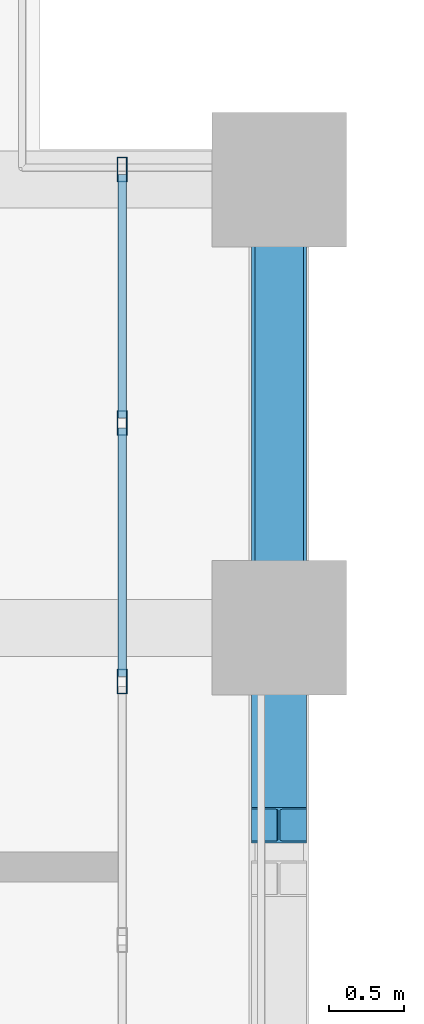
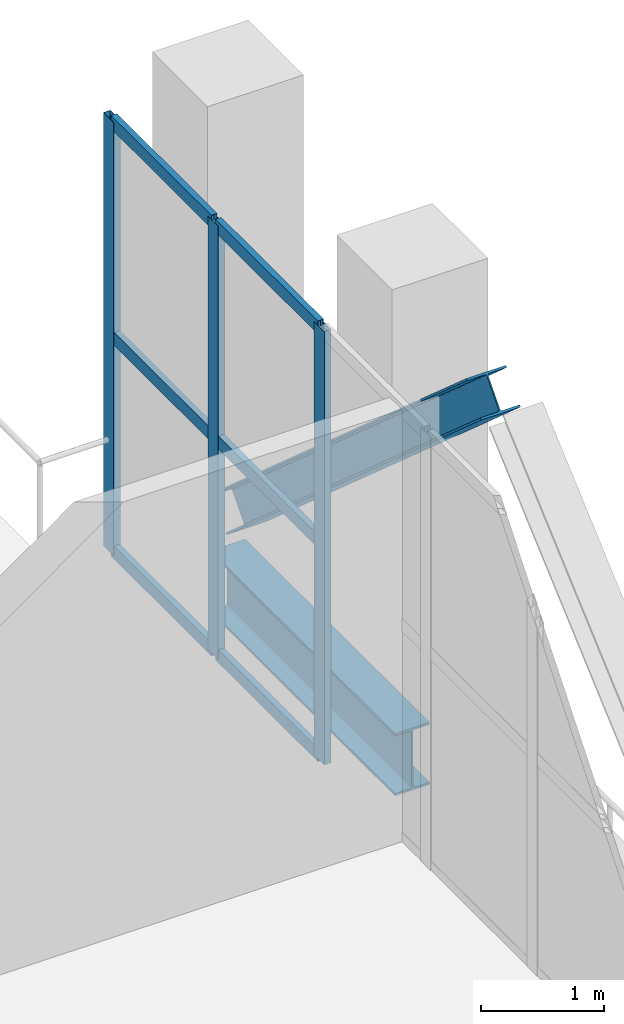
# One storey, part 20 of 26: 10 members, 1 beam, 1 element without a shape of its own.
"""IFC4 building model written with IfcOpenShell, lengths in metres."""

from ifc_helpers import new_model, si_unit, direction, frame, origin, origin_2d, place, context, subcontext, project, spatial, hollow_rectangle, i_section, extrude, material, layer, layer_set, material_profile, profile_set, type_object, element, aggregate, save


model = new_model("IFC4")

# Units and contexts
model_context = context("Model", 3, precision=1e-05, world=origin(), true_north=direction((0.0, 1.0)))
body_context = subcontext(model_context, "Body", "Model", "MODEL_VIEW")
ifc_project = project(units=[si_unit("LENGTHUNIT", "METRE"), si_unit("AREAUNIT", "SQUARE_METRE"), si_unit("VOLUMEUNIT", "CUBIC_METRE"), si_unit("PLANEANGLEUNIT", "RADIAN"), si_unit("MASSUNIT", "GRAM", prefix="KILO")], contexts=[model_context])

# Site, building, storey
site_placement = place(None, origin())
site = spatial("IfcSite", under=ifc_project, at=site_placement, CompositionType="ELEMENT")
building_placement = place(site_placement, origin())
building = spatial("IfcBuilding", under=site, at=building_placement, Name="Mawjdan Bourse Tower", CompositionType="ELEMENT")
storey_placement = place(building_placement, frame((0.0, 0.0, 226.800048828125)))
storey = spatial("IfcBuildingStorey", under=building, at=storey_placement, Name="L55", CompositionType="ELEMENT", Elevation=226.800048828125)

# Member
ifc_material_1 = material(Name="Structural Steel S460", Category="steel")
ifc_material_profile_1 = material_profile(ifc_material_1, i_section(OverallWidth=0.3701171875, OverallDepth=0.360107421875, WebThickness=0.01220703125, FlangeThickness=0.019775390625, FilletRadius=0.015869140625, at=origin_2d()), Name="W14X99")
ifc_profile_set_1 = profile_set([ifc_material_profile_1], Name="Structural Steel S460")
member_type_1 = type_object("IfcMemberType", Name="BRC-W14X99", PredefinedType="BRACE", material=ifc_profile_set_1)
member_1_placement = place(storey_placement, frame((24.0, 34.679931640625, 3.849853515625), z_axis=(0.0, 0.750121779504, -0.661299717159), x_axis=(-1.0, 0.0, 0.0)))
element("IfcMember", 1, at=member_1_placement, inside=storey, type_object=member_type_1, Name="L55 North Wing Perimeter Belt Truss Diagonal 4", PredefinedType="BRACE", context=body_context, shape_type="SweptSolid", body=[
    extrude(i_section(OverallWidth=0.3701171875, OverallDepth=0.360107421875, WebThickness=0.01220703125, FlangeThickness=0.019775390625, FilletRadius=0.015869140625, at=origin_2d()), origin(), (0.0, 0.0, 1.0), 5.519287109375),
])

# Curtain wall, members
ifc_material_2 = material(Name="Thermally Broken Aluminium and Solar Glass", Category="aluminium")
ifc_layer = layer(ifc_material_2, 0.219970703125)
ifc_layer_set = layer_set([ifc_layer], Name="Thermally Broken Aluminium and Solar Glass")
curtain_wall_type = type_object("IfcCurtainWallType", Name="CW-RFG", PredefinedType="USERDEFINED", material=ifc_layer_set)
curtain_wall_placement = place(storey_placement, origin())
curtain_wall = element("IfcCurtainWall", 2, at=curtain_wall_placement, inside=storey, type_object=curtain_wall_type, Name="L55 Refuge Band North-Wing Louvre Curtain Wall", ObjectType="REFUGE BAND LOUVRE SCREEN", PredefinedType="USERDEFINED")
ifc_material_3 = material(Name="Thermally Broken Anodised Aluminium", Category="aluminium")
ifc_material_profile_2 = material_profile(ifc_material_3, hollow_rectangle(XDim=0.06494140625, YDim=0.1650390625, WallThickness=0.00390625, at=origin_2d()), Name="ALU-MUL-165X65")
ifc_profile_set_2 = profile_set([ifc_material_profile_2], Name="Thermally Broken Anodised Aluminium")
member_type_2 = type_object("IfcMemberType", Name="MUL-ALU-MUL-165X65", PredefinedType="MULLION", material=ifc_profile_set_2)
member_2_placement = place(storey_placement, frame((22.949951171875, 35.639892578125, 0.0), z_axis=(0.0, 0.0, 1.0), x_axis=(-1.0, 0.0, 0.0)))
member_2 = element("IfcMember", 3, at=member_2_placement, type_object=member_type_2, Name="CW-RFG-L55-RFG-W mullion 9", PredefinedType="MULLION", context=body_context, shape_type="SweptSolid", body=[
    extrude(hollow_rectangle(XDim=0.06494140625, YDim=0.1650390625, WallThickness=0.00390625, at=origin_2d()), origin(), (0.0, 0.0, 1.0), 4.300048828125),
])
member_3_placement = place(storey_placement, frame((22.949951171875, 37.3701171875, 0.0), z_axis=(0.0, 0.0, 1.0), x_axis=(-1.0, 0.0, 0.0)))
member_3 = element("IfcMember", 4, at=member_3_placement, type_object=member_type_2, Name="CW-RFG-L55-RFG-W mullion 10", PredefinedType="MULLION", context=body_context, shape_type="SweptSolid", body=[
    extrude(hollow_rectangle(XDim=0.06494140625, YDim=0.1650390625, WallThickness=0.00390625, at=origin_2d()), origin(), (0.0, 0.0, 1.0), 4.300048828125),
])
member_4_placement = place(storey_placement, frame((22.949951171875, 39.0673828125, 0.0), z_axis=(0.0, 0.0, 1.0), x_axis=(-1.0, 0.0, 0.0)))
member_4 = element("IfcMember", 5, at=member_4_placement, type_object=member_type_2, Name="CW-RFG-L55-RFG-W mullion 11", PredefinedType="MULLION", context=body_context, shape_type="SweptSolid", body=[
    extrude(hollow_rectangle(XDim=0.06494140625, YDim=0.1650390625, WallThickness=0.00390625, at=origin_2d()), origin(), (0.0, 0.0, 1.0), 4.300048828125),
])

# Beam
ifc_material_4 = material(Name="Structural Steel S355", Category="steel")
ifc_material_profile_3 = material_profile(ifc_material_4, i_section(OverallWidth=0.324951171875, OverallDepth=0.616943359375, WebThickness=0.013916015625, FlangeThickness=0.021484375, FilletRadius=0.017333984375, at=origin_2d()), Name="W24X117")
ifc_profile_set_3 = profile_set([ifc_material_profile_3], Name="Structural Steel S355")
beam_type = type_object("IfcBeamType", Name="SPN-W24X117", PredefinedType="SPANDREL", material=ifc_profile_set_3)
beam_placement = place(storey_placement, frame((24.0, 36.0, -0.588623046875), z_axis=(0.0, 1.0, 0.0), x_axis=(-1.0, 0.0, 0.0)))
element("IfcBeam", 6, at=beam_placement, inside=storey, type_object=beam_type, Name="L55 North Wing Spandrel 058", PredefinedType="SPANDREL", context=body_context, shape_type="SweptSolid", body=[
    extrude(i_section(OverallWidth=0.324951171875, OverallDepth=0.616943359375, WebThickness=0.013916015625, FlangeThickness=0.021484375, FilletRadius=0.017333984375, at=origin_2d()), origin(), (0.0, 0.0, 1.0), 3.0),
])

# Member
ifc_material_profile_4 = material_profile(ifc_material_3, hollow_rectangle(XDim=0.054931640625, YDim=0.1298828125, WallThickness=0.00341796875, at=origin_2d()), Name="ALU-TRN-130X55")
ifc_profile_set_4 = profile_set([ifc_material_profile_4], Name="Thermally Broken Anodised Aluminium")
member_type_3 = type_object("IfcMemberType", Name="TRN-ALU-TRN-130X55", PredefinedType="USERDEFINED", material=ifc_profile_set_4)
member_5_placement = place(storey_placement, frame((22.949951171875, 35.672607421875, 0.02734375), z_axis=(0.0, 1.0, 0.0), x_axis=(-1.0, 0.0, 0.0)))
member_5 = element("IfcMember", 7, at=member_5_placement, type_object=member_type_3, Name="CW-RFG-L55-RFG-W transom 9.1", ObjectType="TRANSOM", PredefinedType="USERDEFINED", context=body_context, shape_type="SweptSolid", body=[
    extrude(hollow_rectangle(XDim=0.054931640625, YDim=0.1298828125, WallThickness=0.00341796875, at=origin_2d()), origin(), (0.0, 0.0, 1.0), 1.664794921875),
])

member_6_placement = place(storey_placement, frame((22.949951171875, 35.672607421875, 2.14990234375), z_axis=(0.0, 1.0, 0.0), x_axis=(-1.0, 0.0, 0.0)))
member_6 = element("IfcMember", 8, at=member_6_placement, type_object=member_type_3, Name="CW-RFG-L55-RFG-W transom 9.2", ObjectType="TRANSOM", PredefinedType="USERDEFINED", context=body_context, shape_type="SweptSolid", body=[
    extrude(hollow_rectangle(XDim=0.054931640625, YDim=0.1298828125, WallThickness=0.00341796875, at=origin_2d()), origin(), (0.0, 0.0, 1.0), 1.664794921875),
])

member_7_placement = place(storey_placement, frame((22.949951171875, 35.672607421875, 4.2724609375), z_axis=(0.0, 1.0, 0.0), x_axis=(-1.0, 0.0, 0.0)))
member_7 = element("IfcMember", 9, at=member_7_placement, type_object=member_type_3, Name="CW-RFG-L55-RFG-W transom 9.3", ObjectType="TRANSOM", PredefinedType="USERDEFINED", context=body_context, shape_type="SweptSolid", body=[
    extrude(hollow_rectangle(XDim=0.054931640625, YDim=0.1298828125, WallThickness=0.00341796875, at=origin_2d()), origin(), (0.0, 0.0, 1.0), 1.664794921875),
])

member_8_placement = place(storey_placement, frame((22.949951171875, 37.402587890625, 0.02734375), z_axis=(0.0, 1.0, 0.0), x_axis=(-1.0, 0.0, 0.0)))
member_8 = element("IfcMember", 10, at=member_8_placement, type_object=member_type_3, Name="CW-RFG-L55-RFG-W transom 10.1", ObjectType="TRANSOM", PredefinedType="USERDEFINED", context=body_context, shape_type="SweptSolid", body=[
    extrude(hollow_rectangle(XDim=0.054931640625, YDim=0.1298828125, WallThickness=0.00341796875, at=origin_2d()), origin(), (0.0, 0.0, 1.0), 1.63232421875),
])

member_9_placement = place(storey_placement, frame((22.949951171875, 37.402587890625, 2.14990234375), z_axis=(0.0, 1.0, 0.0), x_axis=(-1.0, 0.0, 0.0)))
member_9 = element("IfcMember", 11, at=member_9_placement, type_object=member_type_3, Name="CW-RFG-L55-RFG-W transom 10.2", ObjectType="TRANSOM", PredefinedType="USERDEFINED", context=body_context, shape_type="SweptSolid", body=[
    extrude(hollow_rectangle(XDim=0.054931640625, YDim=0.1298828125, WallThickness=0.00341796875, at=origin_2d()), origin(), (0.0, 0.0, 1.0), 1.63232421875),
])

member_10_placement = place(storey_placement, frame((22.949951171875, 37.402587890625, 4.2724609375), z_axis=(0.0, 1.0, 0.0), x_axis=(-1.0, 0.0, 0.0)))
member_10 = element("IfcMember", 12, at=member_10_placement, type_object=member_type_3, Name="CW-RFG-L55-RFG-W transom 10.3", ObjectType="TRANSOM", PredefinedType="USERDEFINED", context=body_context, shape_type="SweptSolid", body=[
    extrude(hollow_rectangle(XDim=0.054931640625, YDim=0.1298828125, WallThickness=0.00341796875, at=origin_2d()), origin(), (0.0, 0.0, 1.0), 1.63232421875),
])

aggregate(curtain_wall, [member_2, member_3, member_4, member_5, member_6, member_7, member_8, member_9, member_10])

save(model, "model.ifc")
